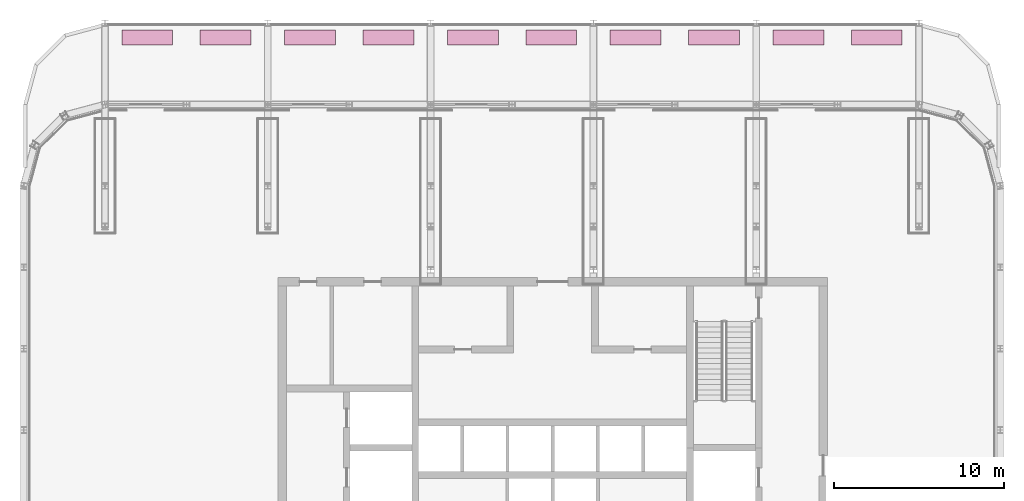
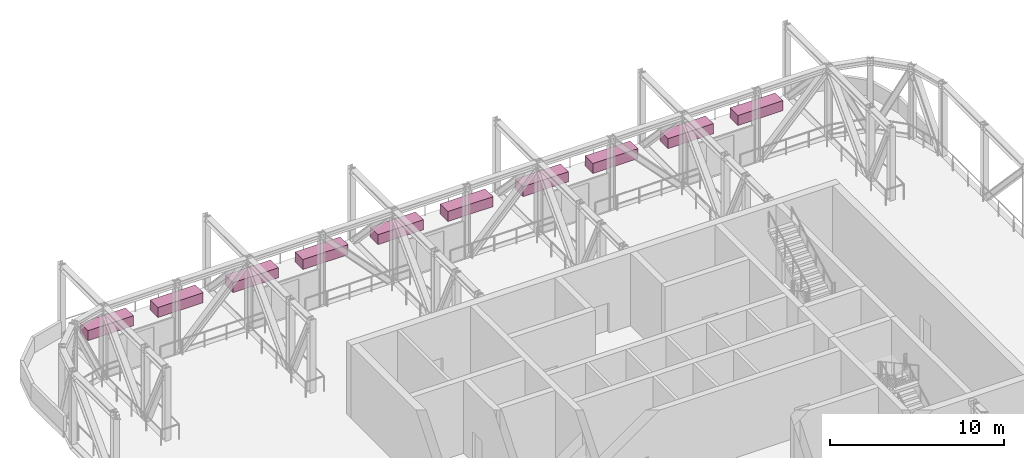
# One storey, part 16 of 16: 10 furniture elements.
"""IFC4 building model written with IfcOpenShell, lengths in metres."""

from ifc_helpers import new_model, si_unit, direction, frame, origin, origin_2d, place, context, subcontext, project, spatial, rectangle, extrude, material, type_object, element, save


model = new_model("IFC4")

# Units and contexts
model_context = context("Model", 3, precision=1e-05, world=origin(), true_north=direction((0.0, 1.0)))
body_context = subcontext(model_context, "Body", "Model", "MODEL_VIEW")
ifc_project = project(units=[si_unit("LENGTHUNIT", "METRE"), si_unit("AREAUNIT", "SQUARE_METRE"), si_unit("VOLUMEUNIT", "CUBIC_METRE"), si_unit("PLANEANGLEUNIT", "RADIAN"), si_unit("MASSUNIT", "GRAM", prefix="KILO")], contexts=[model_context])

# Site, building, storey
site_placement = place(None, origin())
site = spatial("IfcSite", under=ifc_project, at=site_placement, CompositionType="ELEMENT")
building_placement = place(site_placement, origin())
building = spatial("IfcBuilding", under=site, at=building_placement, Name="Madar Terraces", CompositionType="ELEMENT")
storey_placement = place(building_placement, frame((0.0, 0.0, 263.199951171875)))
storey = spatial("IfcBuildingStorey", under=building, at=storey_placement, Name="L69", CompositionType="ELEMENT", Elevation=263.199951171875)

# Furniture
ifc_material = material(Name="Precast concrete C30/37, planted soil", Category="concrete")
furniture_type = type_object("IfcFurnitureType", Name="Terrace planter 3000 x 900 x 700", AssemblyPlace="NOTDEFINED", PredefinedType="NOTDEFINED", material=ifc_material)
for number, where, z_axis, x_axis, name in (
    (1, (11.910888671875, 51.949951171875, 0.0400390625), (0.0, 0.0, 1.0), (-1.0, 0.0, 0.0), "PLANTER L69 1"),
    (2, (7.2890625, 51.949951171875, 0.0400390625), (0.0, 0.0, 1.0), (-1.0, 0.0, 0.0), "PLANTER L69 2"),
    (3, (21.510986328125, 51.949951171875, 0.0400390625), (0.0, 0.0, 1.0), (-1.0, 0.0, 0.0), "PLANTER L69 1"),
    (4, (16.888916015625, 51.949951171875, 0.0400390625), (0.0, 0.0, 1.0), (-1.0, 0.0, 0.0), "PLANTER L69 2"),
    (5, (31.111083984375, 51.949951171875, 0.0400390625), (0.0, 0.0, 1.0), (-1.0, 0.0, 0.0), "PLANTER L69 1"),
    (6, (26.489013671875, 51.949951171875, 0.0400390625), (0.0, 0.0, 1.0), (-1.0, 0.0, 0.0), "PLANTER L69 2"),
    (7, (40.7109375, 51.949951171875, 0.0400390625), (0.0, 0.0, 1.0), (-1.0, 0.0, 0.0), "PLANTER L69 1"),
    (8, (36.089111328125, 51.949951171875, 0.0400390625), (0.0, 0.0, 1.0), (-1.0, 0.0, 0.0), "PLANTER L69 2"),
    (9, (50.310791015625, 51.949951171875, 0.0400390625), (0.0, 0.0, 1.0), (-1.0, 0.0, 0.0), "PLANTER L69 1"),
    (10, (45.689208984375, 51.949951171875, 0.0400390625), (0.0, 0.0, 1.0), (-1.0, 0.0, 0.0), "PLANTER L69 2"),
):
    element("IfcFurniture", number, at=place(storey_placement, frame(where, z_axis=z_axis, x_axis=x_axis)), inside=storey, type_object=furniture_type, Name=name, PredefinedType="NOTDEFINED", context=body_context, shape_type="SweptSolid", body=[
        extrude(rectangle(XDim=3.0, YDim=0.89990234375, at=origin_2d()), origin(), (0.0, 0.0, 1.0), 0.699951171875),
    ])

save(model, "model.ifc")
